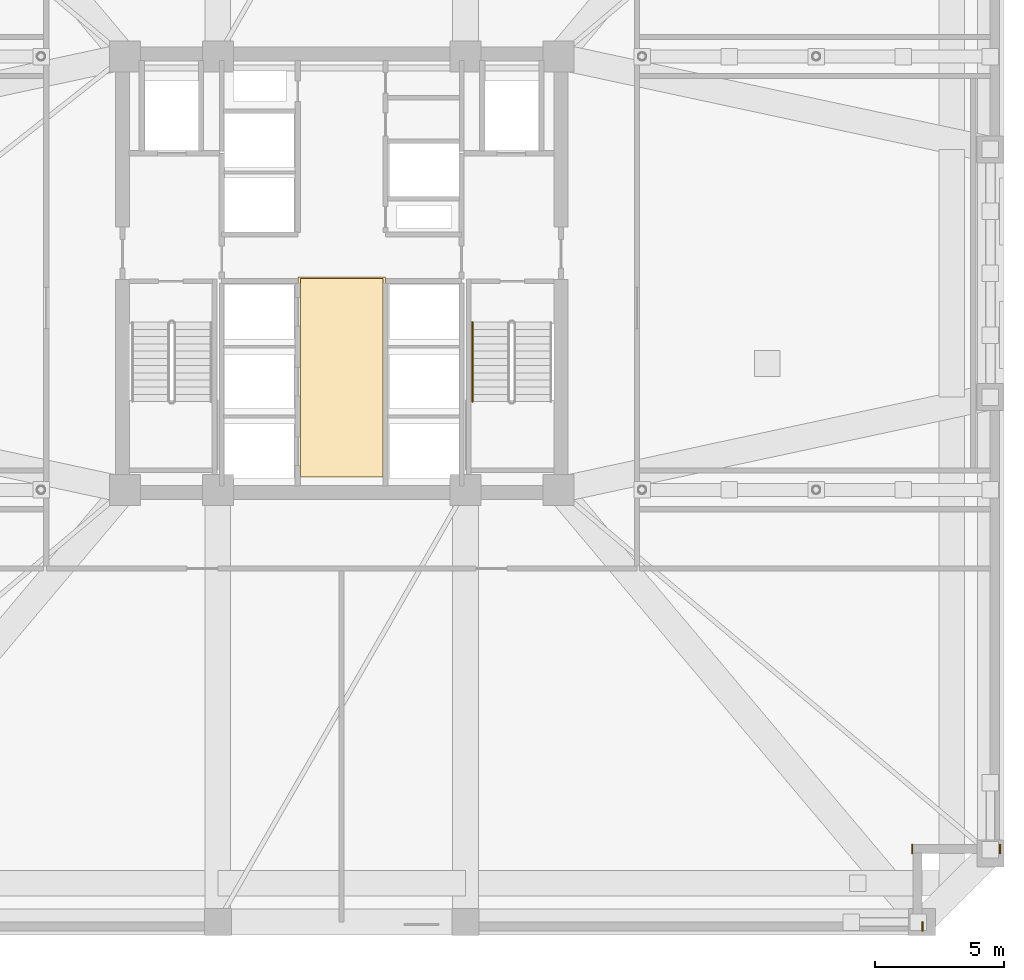
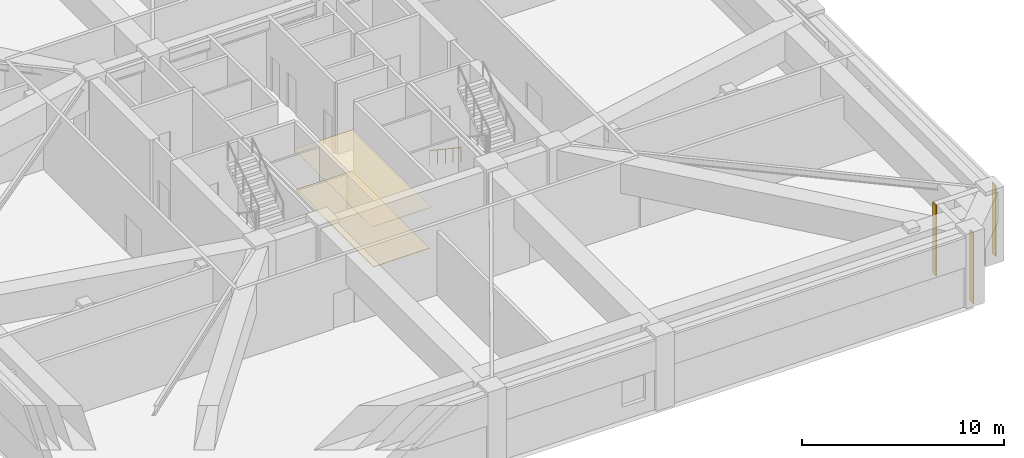
# One storey, part 10 of 13: 5 coverings, 1 railing.
"""IFC4 building model written with IfcOpenShell, lengths in metres."""

from ifc_helpers import new_model, si_unit, direction, frame, frame_2d, origin, origin_2d, place, context, subcontext, project, spatial, polyline, rectangle, circle, outline, extrude, material, layer, layer_set, type_object, element, save


model = new_model("IFC4")

# Units and contexts
model_context = context("Model", 3, precision=1e-05, world=origin(), true_north=direction((0.0, 1.0)))
body_context = subcontext(model_context, "Body", "Model", "MODEL_VIEW")
ifc_project = project(units=[si_unit("LENGTHUNIT", "METRE"), si_unit("AREAUNIT", "SQUARE_METRE"), si_unit("VOLUMEUNIT", "CUBIC_METRE"), si_unit("PLANEANGLEUNIT", "RADIAN"), si_unit("MASSUNIT", "GRAM", prefix="KILO")], contexts=[model_context])

# Site, building, storey
site_placement = place(None, origin())
site = spatial("IfcSite", under=ifc_project, at=site_placement, CompositionType="ELEMENT")
building_placement = place(site_placement, origin())
building = spatial("IfcBuilding", under=site, at=building_placement, Name="Cairnveth Concourse Tower", CompositionType="ELEMENT")
storey_placement = place(building_placement, frame((0.0, 0.0, 97.0)))
storey = spatial("IfcBuildingStorey", under=building, at=storey_placement, Name="L26", CompositionType="ELEMENT", Elevation=97.0)

# Coverings
ifc_material_1 = material(Name="Acoustic Mineral Fibre Ceiling", Category="gypsum")
ifc_layer_1 = layer(ifc_material_1, 0.02490234375)
ifc_layer_set_1 = layer_set([ifc_layer_1], Name="Acoustic Mineral Fibre Ceiling")
covering_type_1 = type_object("IfcCoveringType", Name="ACOUSTIC MINERAL FIBRE CEILING 25", PredefinedType="CEILING", material=ifc_layer_set_1)
covering_1_placement = place(storey_placement, frame((0.0, 0.0, 2.43994140625)))
element("IfcCovering", 1, at=covering_1_placement, inside=storey, type_object=covering_type_1, Name="Lift Lobby Acoustic Ceiling L26", PredefinedType="CEILING", context=body_context, shape_type="SweptSolid", body=[
    extrude(outline(polyline([(50.300048828125, 31.10009765625), (53.699951171875, 31.10009765625), (53.699951171875, 38.85009765625), (50.300048828125, 38.85009765625), (50.300048828125, 31.10009765625)])), origin(), (0.0, 0.0, 1.0), 0.025146484375),
])
ifc_material_2 = material(Name="Dressed Melbourne Bluestone Cladding", Category="masonry")
ifc_layer_2 = layer(ifc_material_2, 0.050048828125)
ifc_layer_set_2 = layer_set([ifc_layer_2], Name="Dressed Melbourne Bluestone Cladding")
covering_type_2 = type_object("IfcCoveringType", Name="DRESSED BLUESTONE PLINTH CLADDING 50", PredefinedType="CLADDING", material=ifc_layer_set_2)
for number, where, z_axis, x_axis, name in (
    (2, (77.52001953125, 16.860107421875, 0.0), (0.0, 0.0, 1.0), (0.0, -1.0, 0.0), "Melbourne Bluestone Corner Quoin L26-368"),
    (3, (74.1201171875, 16.860107421875, 0.0), (0.0, 0.0, 1.0), (0.0, -1.0, 0.0), "Melbourne Bluestone Corner Quoin L26-369"),
    (4, (74.52001953125, 13.860107421875, 0.0), (0.0, 0.0, 1.0), (0.0, -1.0, 0.0), "Melbourne Bluestone Corner Quoin L26-370"),
):
    element("IfcCovering", number, at=place(storey_placement, frame(where, z_axis=z_axis, x_axis=x_axis)), inside=storey, type_object=covering_type_2, Name=name, PredefinedType="CLADDING", context=body_context, shape_type="SweptSolid", body=[
        extrude(rectangle(XDim=0.360107421875, YDim=0.050048828125, at=frame_2d((0.18017578125, 0.0))), origin(), (0.0, 0.0, 1.0), 4.280029296875),
    ])

# Railing
ifc_material_3 = material(Name="Steel Grade 350", Category="steel")
railing_type = type_object("IfcRailingType", Name="STAIR WALL HANDRAIL 900", PredefinedType="HANDRAIL", material=ifc_material_3)
railing_placement = place(storey_placement, frame((57.070068359375, 37.10009765625, 0.1875)))
element("IfcRailing", 5, at=railing_placement, inside=storey, type_object=railing_type, Name="L26 ST-2 stair handrail 1", PredefinedType="HANDRAIL", context=body_context, shape_type="SweptSolid", body=[
    extrude(circle(Radius=0.02392578125, at=origin_2d()), frame((0.0, 0.0, 0.8759765625), z_axis=(0.0, -0.830913701846, 0.55640131208), x_axis=(1.0, 0.0, 0.0)), (0.0, 0.0, 1.0), 3.706787109375),
    extrude(circle(Radius=0.02099609375, at=origin_2d()), origin(), (0.0, 0.0, 1.0), 0.851806640625),
    extrude(circle(Radius=0.02099609375, at=origin_2d()), frame((0.0, -0.77001953125, 0.515625)), (0.0, 0.0, 1.0), 0.851806640625),
    extrude(circle(Radius=0.02099609375, at=origin_2d()), frame((0.0, -1.5400390625, 1.03125)), (0.0, 0.0, 1.0), 0.851806640625),
    extrude(circle(Radius=0.02099609375, at=origin_2d()), frame((0.0, -2.31005859375, 1.546875)), (0.0, 0.0, 1.0), 0.851806640625),
    extrude(circle(Radius=0.02099609375, at=origin_2d()), frame((0.0, -3.080078125, 2.0625)), (0.0, 0.0, 1.0), 0.851806640625),
])

# Covering
ifc_material_4 = material(Name="Vitrified Stoneware Tile Flooring", Category="masonry")
ifc_layer_3 = layer(ifc_material_4, 0.02001953125)
ifc_layer_set_3 = layer_set([ifc_layer_3], Name="Vitrified Stoneware Tile Flooring")
covering_type_3 = type_object("IfcCoveringType", Name="VITRIFIED STONEWARE LOBBY FLOORING 20", PredefinedType="FLOORING", material=ifc_layer_set_3)
covering_2_placement = place(storey_placement, origin())
element("IfcCovering", 6, at=covering_2_placement, inside=storey, type_object=covering_type_3, Name="Lift Lobby Stoneware Flooring L26", PredefinedType="FLOORING", context=body_context, shape_type="SweptSolid", body=[
    extrude(outline(polyline([(50.39990234375, 31.10009765625), (53.60009765625, 31.10009765625), (53.60009765625, 38.800048828125), (50.39990234375, 38.800048828125), (50.39990234375, 31.10009765625)])), origin(), (0.0, 0.0, 1.0), 0.02001953125),
])

save(model, "model.ifc")
